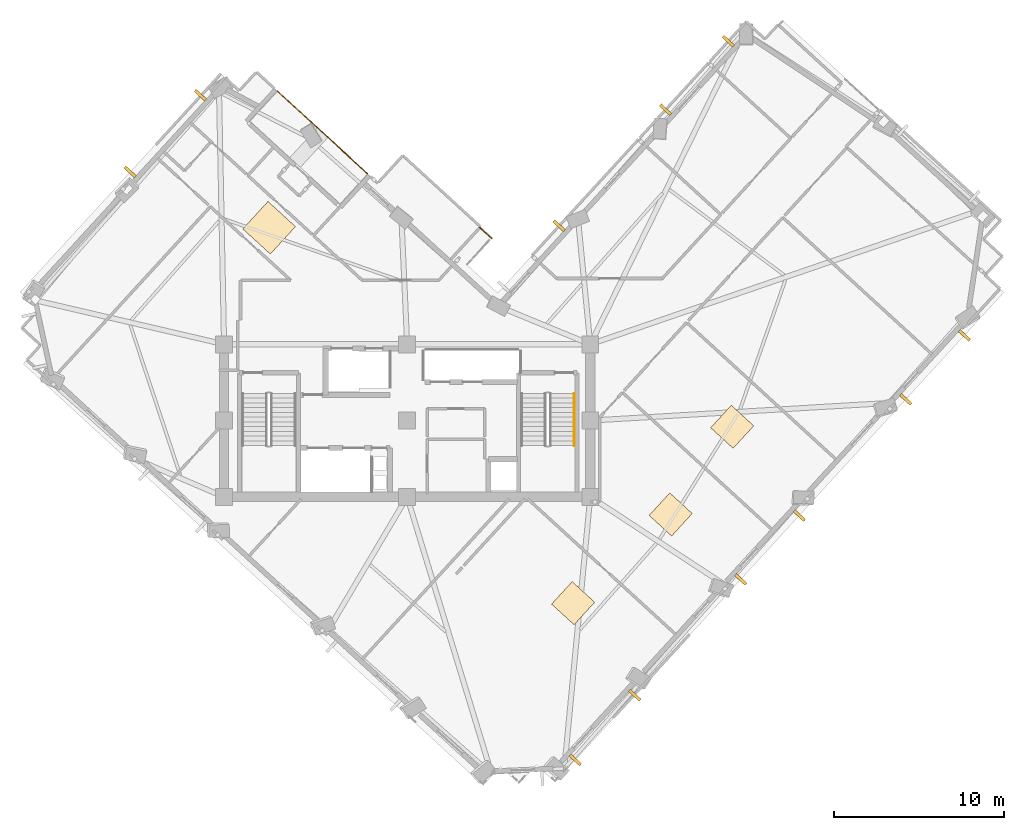
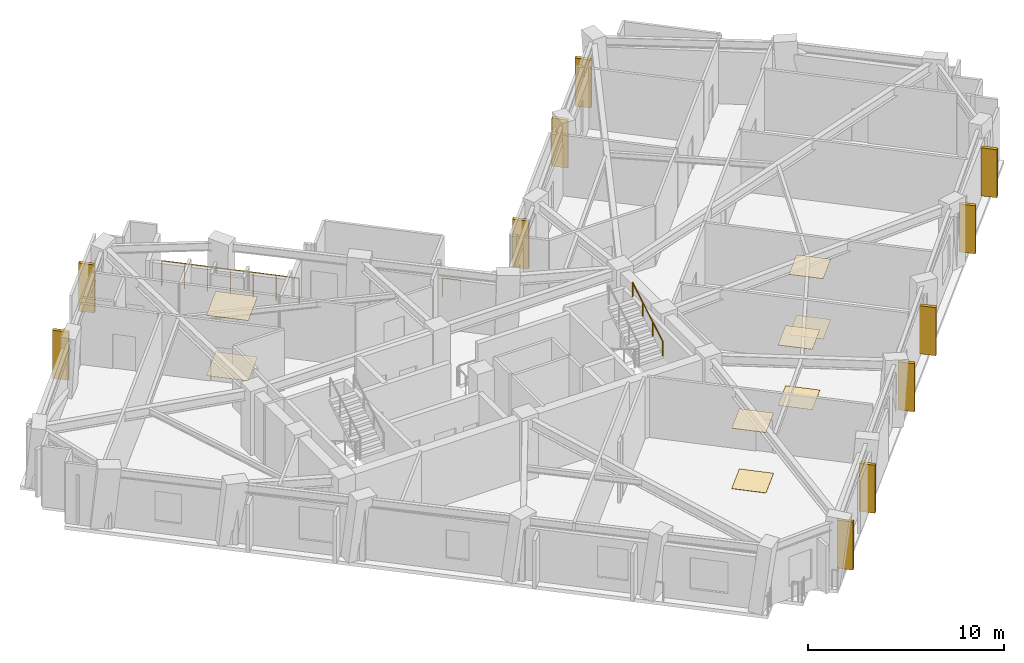
# One storey, part 11 of 12: 11 shading devices, 8 coverings, 3 railings.
"""IFC4 building model written with IfcOpenShell, lengths in metres."""

from ifc_helpers import new_model, si_unit, direction, frame, origin, origin_2d, place, context, subcontext, project, spatial, rectangle, circle, extrude, material, layer, layer_set, type_object, element, save


model = new_model("IFC4")

# Units and contexts
model_context = context("Model", 3, precision=1e-05, world=origin(), true_north=direction((0.0, 1.0)))
body_context = subcontext(model_context, "Body", "Model", "MODEL_VIEW")
ifc_project = project(units=[si_unit("LENGTHUNIT", "METRE"), si_unit("AREAUNIT", "SQUARE_METRE"), si_unit("VOLUMEUNIT", "CUBIC_METRE"), si_unit("PLANEANGLEUNIT", "RADIAN"), si_unit("MASSUNIT", "GRAM", prefix="KILO")], contexts=[model_context])

# Site, building, storey
site_placement = place(None, origin())
site = spatial("IfcSite", under=ifc_project, at=site_placement, CompositionType="ELEMENT")
building_placement = place(site_placement, origin())
building = spatial("IfcBuilding", under=site, at=building_placement, Name="Gaonmaruhae Medical Tower", CompositionType="ELEMENT")
storey_placement = place(building_placement, frame((0.0, 0.0, 227.199951171875)))
storey = spatial("IfcBuildingStorey", under=building, at=storey_placement, Name="L54", CompositionType="ELEMENT", Elevation=227.199951171875)

# Coverings
ifc_material_1 = material(Name="Acoustic mineral ceiling tile", Category="finish")
ifc_layer_1 = layer(ifc_material_1, 0.02490234375)
ifc_layer_set_1 = layer_set([ifc_layer_1], Name="Acoustic mineral ceiling tile")
covering_type_1 = type_object("IfcCoveringType", Name="CLG-01 Antimicrobial Acoustic Mineral Ceiling", PredefinedType="CEILING", material=ifc_layer_set_1)
covering_1_placement = place(storey_placement, frame((16.659912109375, 23.673583984375, 3.755126953125), z_axis=(0.0, 0.0, 1.0), x_axis=(0.675590207616, 0.73727733681, 0.0)))
element("IfcCovering", 1, at=covering_1_placement, inside=storey, type_object=covering_type_1, Name="L54 Clinical Corridor Acoustic Ceiling", PredefinedType="CEILING", context=body_context, shape_type="SweptSolid", body=[
    extrude(rectangle(XDim=2.199951171875, YDim=2.199951171875, at=origin_2d()), origin(), (0.0, 0.0, 1.0), 0.02490234375),
])
for number, where, z_axis, x_axis, name in (
    (2, (34.589111328125, 1.529052734375, 3.755126953125), (0.0, 0.0, 1.0), (0.675590207616, 0.73727733681, 0.0), "L54 Clinical Room Acoustic Ceiling 2"),
    (3, (40.343505859375, 6.76220703125, 3.755126953125), (0.0, 0.0, 1.0), (0.675590207616, 0.73727733681, 0.0), "L54 Clinical Room Acoustic Ceiling 3"),
    (4, (43.9716796875, 11.932373046875, 3.755126953125), (0.0, 0.0, 1.0), (0.675590207616, 0.73727733681, 0.0), "L54 Clinical Room Acoustic Ceiling 4"),
):
    element("IfcCovering", number, at=place(storey_placement, frame(where, z_axis=z_axis, x_axis=x_axis)), inside=storey, type_object=covering_type_1, Name=name, PredefinedType="CEILING", context=body_context, shape_type="SweptSolid", body=[
        extrude(rectangle(XDim=1.800048828125, YDim=1.800048828125, at=origin_2d()), origin(), (0.0, 0.0, 1.0), 0.02490234375),
    ])
ifc_material_2 = material(Name="Seamless clinical vinyl flooring", Category="finish")
ifc_layer_2 = layer(ifc_material_2, 0.014892578125)
ifc_layer_set_2 = layer_set([ifc_layer_2], Name="Seamless clinical vinyl flooring")
covering_type_2 = type_object("IfcCoveringType", Name="FLR-01 Seamless Clinical Antistatic Vinyl Flooring", PredefinedType="FLOORING", material=ifc_layer_set_2)
covering_2_placement = place(storey_placement, frame((16.659912109375, 23.673583984375, 0.00048828125), z_axis=(0.0, 0.0, 1.0), x_axis=(0.675590207616, 0.73727733681, 0.0)))
element("IfcCovering", 5, at=covering_2_placement, inside=storey, type_object=covering_type_2, Name="L54 Clinical Corridor Vinyl Flooring", PredefinedType="FLOORING", context=body_context, shape_type="SweptSolid", body=[
    extrude(rectangle(XDim=2.199951171875, YDim=2.199951171875, at=origin_2d()), origin(), (0.0, 0.0, 1.0), 0.014892578125),
])
for number, where, z_axis, x_axis, name in (
    (6, (34.589111328125, 1.529052734375, 0.0), (0.0, 0.0, 1.0), (0.675590207616, 0.73727733681, 0.0), "L54 Clinical Room Vinyl Flooring 2"),
    (7, (40.343505859375, 6.76220703125, 0.0), (0.0, 0.0, 1.0), (0.675590207616, 0.73727733681, 0.0), "L54 Clinical Room Vinyl Flooring 3"),
    (8, (43.9716796875, 11.932373046875, 0.0), (0.0, 0.0, 1.0), (0.675590207616, 0.73727733681, 0.0), "L54 Clinical Room Vinyl Flooring 4"),
):
    element("IfcCovering", number, at=place(storey_placement, frame(where, z_axis=z_axis, x_axis=x_axis)), inside=storey, type_object=covering_type_2, Name=name, PredefinedType="FLOORING", context=body_context, shape_type="SweptSolid", body=[
        extrude(rectangle(XDim=1.800048828125, YDim=1.800048828125, at=origin_2d()), origin(), (0.0, 0.0, 1.0), 0.014892578125),
    ])

# Railings
ifc_material_3 = material(Name="Stainless steel 316L and laminated safety glass", Category="steel")
ifc_layer_3 = layer(ifc_material_3, 0.080078125)
ifc_layer_set_3 = layer_set([ifc_layer_3], Name="Stainless steel 316L and laminated safety glass")
railing_type_1 = type_object("IfcRailingType", Name="GD-120 Outdoor Terrace Safety Glass & Steel Balustrade", PredefinedType="BALUSTRADE", material=ifc_layer_set_3)
railing_1_placement = place(storey_placement, frame((29.083251953125, 23.689697265625, 0.0)))
element("IfcRailing", 9, at=railing_1_placement, inside=storey, type_object=railing_type_1, Name="L54 Perimeter Slab Edge Safety Balustrade 08", PredefinedType="BALUSTRADE", context=body_context, shape_type="SweptSolid", body=[
    extrude(circle(Radius=0.02392578125, at=origin_2d()), frame((0.0, 0.0, 1.17578125), z_axis=(0.737333592329, -0.675528810357, 0.0), x_axis=(0.675528810357, 0.737333592329, 0.0)), (0.0, 0.0, 1.0), 0.9599609375),
    extrude(circle(Radius=0.02099609375, at=origin_2d()), origin(), (0.0, 0.0, 1.0), 1.15185546875),
    extrude(circle(Radius=0.02099609375, at=origin_2d()), frame((0.707763671875, -0.6484375, 0.0)), (0.0, 0.0, 1.0), 1.15185546875),
])
ifc_layer_4 = layer(ifc_material_3, 0.080078125)
ifc_layer_set_4 = layer_set([ifc_layer_4], Name="Stainless steel 316L and laminated safety glass")
railing_type_2 = type_object("IfcRailingType", Name="GD-155 Planter-Edge Raised Safety Balustrade", PredefinedType="BALUSTRADE", material=ifc_layer_set_4)
railing_2_placement = place(storey_placement, frame((22.468505859375, 26.862060546875, 0.0)))
element("IfcRailing", 10, at=railing_2_placement, inside=storey, type_object=railing_type_2, Name="L54 Terrace Safety Guard RL-SLB-L54-TER-02", PredefinedType="BALUSTRADE", context=body_context, shape_type="SweptSolid", body=[
    extrude(circle(Radius=0.02392578125, at=origin_2d()), frame((0.0, 0.0, 1.52587890625), z_axis=(-0.737273768274, 0.675594101968, 0.0), x_axis=(-0.675594101968, -0.737273768274, 0.0)), (0.0, 0.0, 1.0), 7.199951171875),
    extrude(circle(Radius=0.02099609375, at=origin_2d()), origin(), (0.0, 0.0, 1.0), 1.501953125),
    extrude(circle(Radius=0.02099609375, at=origin_2d()), frame((-0.884765625, 0.810791015625, 0.0)), (0.0, 0.0, 1.0), 1.501953125),
    extrude(circle(Radius=0.02099609375, at=origin_2d()), frame((-1.76953125, 1.621337890625, 0.0)), (0.0, 0.0, 1.0), 1.501953125),
    extrude(circle(Radius=0.02099609375, at=origin_2d()), frame((-2.654296875, 2.43212890625, 0.0)), (0.0, 0.0, 1.0), 1.501953125),
    extrude(circle(Radius=0.02099609375, at=origin_2d()), frame((-3.538818359375, 3.242919921875, 0.0)), (0.0, 0.0, 1.0), 1.501953125),
    extrude(circle(Radius=0.02099609375, at=origin_2d()), frame((-4.423583984375, 4.053466796875, 0.0)), (0.0, 0.0, 1.0), 1.501953125),
    extrude(circle(Radius=0.02099609375, at=origin_2d()), frame((-5.308349609375, 4.8642578125, 0.0)), (0.0, 0.0, 1.0), 1.501953125),
])
ifc_material_4 = material(Name="Stainless steel 304 handrail", Category="steel")
railing_type_3 = type_object("IfcRailingType", Name="HR-092 Continuous Stainless Steel Stair Handrail", PredefinedType="HANDRAIL", material=ifc_material_4)
railing_3_placement = place(storey_placement, frame((34.64990234375, 10.820068359375, 2.166748046875)))
element("IfcRailing", 11, at=railing_3_placement, inside=storey, type_object=railing_type_3, Name="L54 ST-02 stair handrail 2", PredefinedType="HANDRAIL", context=body_context, shape_type="SweptSolid", body=[
    extrude(circle(Radius=0.02392578125, at=origin_2d()), frame((0.0, 0.0, 0.8759765625), z_axis=(0.0, 0.859290745958, 0.51148745235), x_axis=(-1.0, 0.0, 0.0)), (0.0, 0.0, 1.0), 3.584228515625),
    extrude(circle(Radius=0.02099609375, at=origin_2d()), origin(), (0.0, 0.0, 1.0), 0.851806640625),
    extrude(circle(Radius=0.02099609375, at=origin_2d()), frame((0.0, 1.026611328125, 0.611083984375)), (0.0, 0.0, 1.0), 0.851806640625),
    extrude(circle(Radius=0.02099609375, at=origin_2d()), frame((0.0, 2.05322265625, 1.22216796875)), (0.0, 0.0, 1.0), 0.851806640625),
    extrude(circle(Radius=0.02099609375, at=origin_2d()), frame((0.0, 3.079833984375, 1.833251953125)), (0.0, 0.0, 1.0), 0.851806640625),
])

# Shading devices
ifc_material_5 = material(Name="Pigmented coral precast concrete C45/55", Category="concrete")
shading_device_type = type_object("IfcShadingDeviceType", Name="SD-FIN1 Tower Vertical Coral Precast Shading Fin", PredefinedType="USERDEFINED", material=ifc_material_5)
for number, where, z_axis, x_axis, name in (
    (12, (38.22119140625, -3.897705078125, 0.132568359375), (0.0, 0.0, 1.0), (-0.675590207616, -0.73727733681, 0.0), "L54 Vertical Coral Precast Shading Fin S01"),
    (13, (34.718505859375, -7.72021484375, 0.132568359375), (0.0, 0.0, 1.0), (-0.675590207616, -0.73727733681, 0.0), "L54 Vertical Coral Precast Shading Fin S01B"),
    (14, (47.931884765625, 6.69970703125, 0.132568359375), (0.0, 0.0, 1.0), (-0.675590207616, -0.73727733681, 0.0), "L54 Vertical Coral Precast Shading Fin S03"),
    (15, (44.477294921875, 2.9296875, 0.132568359375), (0.0, 0.0, 1.0), (-0.675590207616, -0.73727733681, 0.0), "L54 Vertical Coral Precast Shading Fin S03B"),
    (16, (57.667724609375, 17.324462890625, 0.132568359375), (0.0, 0.0, 1.0), (-0.675590207616, -0.73727733681, 0.0), "L54 Vertical Coral Precast Shading Fin S05"),
    (17, (54.209716796875, 13.55078125, 0.132568359375), (0.0, 0.0, 1.0), (-0.675590207616, -0.73727733681, 0.0), "L54 Vertical Coral Precast Shading Fin S05B"),
    (18, (40.03955078125, 30.635986328125, 0.08251953125), (0.0, 0.0, 1.0), (0.675590207616, 0.73727733681, 0.0), "L54 Vertical Coral Precast Shading Fin E03"),
    (19, (43.74169921875, 34.676025390625, 0.08251953125), (0.0, 0.0, 1.0), (0.675590207616, 0.73727733681, 0.0), "L54 Vertical Coral Precast Shading Fin E03B"),
    (20, (33.763671875, 23.787109375, 0.132568359375), (0.0, 0.0, 1.0), (0.675590207616, 0.73727733681, 0.0), "L54 Vertical Coral Precast Shading Fin EN02B"),
    (21, (8.463134765625, 26.964111328125, 0.132568359375), (0.0, 0.0, 1.0), (0.675590207616, 0.73727733681, 0.0), "L54 Vertical Coral Precast Shading Fin N01"),
    (22, (12.607421875, 31.48681640625, 0.132568359375), (0.0, 0.0, 1.0), (0.675590207616, 0.73727733681, 0.0), "L54 Vertical Coral Precast Shading Fin N01B"),
):
    element("IfcShadingDevice", number, at=place(storey_placement, frame(where, z_axis=z_axis, x_axis=x_axis)), inside=storey, type_object=shading_device_type, Name=name, ObjectType="FIN", PredefinedType="USERDEFINED", context=body_context, shape_type="SweptSolid", body=[
        extrude(rectangle(XDim=0.179931640625, YDim=0.85009765625, at=origin_2d()), origin(), (0.0, 0.0, 1.0), 3.0),
    ])

save(model, "model.ifc")
